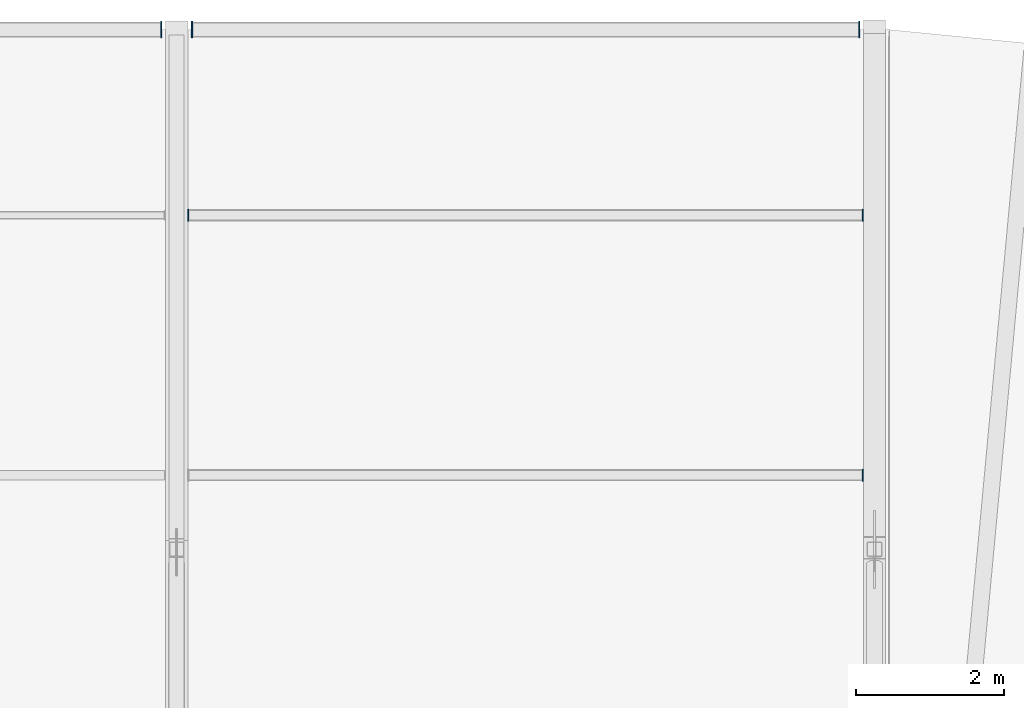
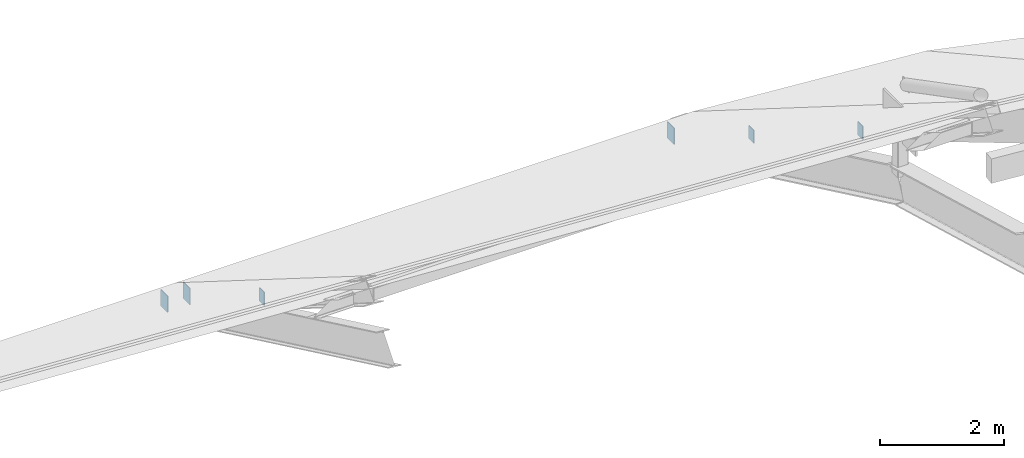
# One storey, part 63 of 66: 6 plates.
"""IFC4 building model written with IfcOpenShell, lengths in metres."""

from ifc_helpers import new_model, si_unit, direction, frame, origin, origin_2d, place, context, subcontext, project, spatial, rectangle, extrude, material, layer, layer_set, type_object, element, save


model = new_model("IFC4")

# Units and contexts
model_context = context("Model", 3, precision=1e-05, world=origin(), true_north=direction((0.0, 1.0)))
body_context = subcontext(model_context, "Body", "Model", "MODEL_VIEW")
ifc_project = project(units=[si_unit("LENGTHUNIT", "METRE"), si_unit("AREAUNIT", "SQUARE_METRE"), si_unit("VOLUMEUNIT", "CUBIC_METRE"), si_unit("PLANEANGLEUNIT", "RADIAN"), si_unit("MASSUNIT", "GRAM", prefix="KILO")], contexts=[model_context])

# Site, building, storey
site_placement = place(None, origin())
site = spatial("IfcSite", under=ifc_project, at=site_placement, CompositionType="ELEMENT")
building_placement = place(site_placement, origin())
building = spatial("IfcBuilding", under=site, at=building_placement, Name="Yeouljin Market Hall", CompositionType="ELEMENT")
storey_placement = place(building_placement, frame((0.0, 0.0, 23.39990234375)))
storey = spatial("IfcBuildingStorey", under=building, at=storey_placement, Name="RF", CompositionType="ELEMENT", Elevation=23.39990234375)

# Plates
ifc_material_1 = material(Name="Steel SM355", Category="steel")
ifc_layer_1 = layer(ifc_material_1, 0.01611328125)
ifc_layer_set_1 = layer_set([ifc_layer_1], Name="Steel SM355")
plate_type_1 = type_object("IfcPlateType", Name="CapPlate_260x160x16", PredefinedType="SHEET", material=ifc_layer_set_1)
for number, where, z_axis, x_axis, name in (
    (1, (140.64208984375, 72.0, -8.73828125), (0.0, 0.0, 1.0), (0.0, 1.0, 0.0), "Purlin end-cap plate 0250"),
    (2, (131.55810546875, 75.5, -10.9384765625), (0.0, 0.0, 1.0), (0.0, 1.0, 0.0), "Purlin end-cap plate 0251"),
    (3, (140.64208984375, 75.5, -10.9384765625), (0.0, 0.0, 1.0), (0.0, 1.0, 0.0), "Purlin end-cap plate 0252"),
):
    element("IfcPlate", number, at=place(storey_placement, frame(where, z_axis=z_axis, x_axis=x_axis)), inside=storey, type_object=plate_type_1, Name=name, PredefinedType="SHEET", context=body_context, shape_type="SweptSolid", body=[
        extrude(rectangle(XDim=0.159912109375, YDim=0.01611328125, at=origin_2d()), origin(), (0.0, 0.0, 1.0), 0.260009765625),
    ])
ifc_material_2 = material(Name="Steel SM355", Category="steel")
ifc_layer_2 = layer(ifc_material_2, 0.01611328125)
ifc_layer_set_2 = layer_set([ifc_layer_2], Name="Steel SM355")
plate_type_2 = type_object("IfcPlateType", Name="CapPlate_320x220x16", PredefinedType="SHEET", material=ifc_layer_set_2)
for number, where, z_axis, x_axis, name in (
    (4, (131.19189453125, 78.0, -12.43994140625), (0.0, 0.0, 1.0), (0.0, 1.0, 0.0), "Eaves girder end-cap plate N10-E"),
    (5, (131.60791015625, 78.0, -12.43994140625), (0.0, 0.0, 1.0), (0.0, 1.0, 0.0), "Eaves girder end-cap plate N11-W"),
    (6, (140.592041015625, 78.0, -12.43994140625), (0.0, 0.0, 1.0), (0.0, 1.0, 0.0), "Eaves girder end-cap plate N11-E"),
):
    element("IfcPlate", number, at=place(storey_placement, frame(where, z_axis=z_axis, x_axis=x_axis)), inside=storey, type_object=plate_type_2, Name=name, PredefinedType="SHEET", context=body_context, shape_type="SweptSolid", body=[
        extrude(rectangle(XDim=0.219970703125, YDim=0.01611328125, at=origin_2d()), origin(), (0.0, 0.0, 1.0), 0.320068359375),
    ])

save(model, "model.ifc")
